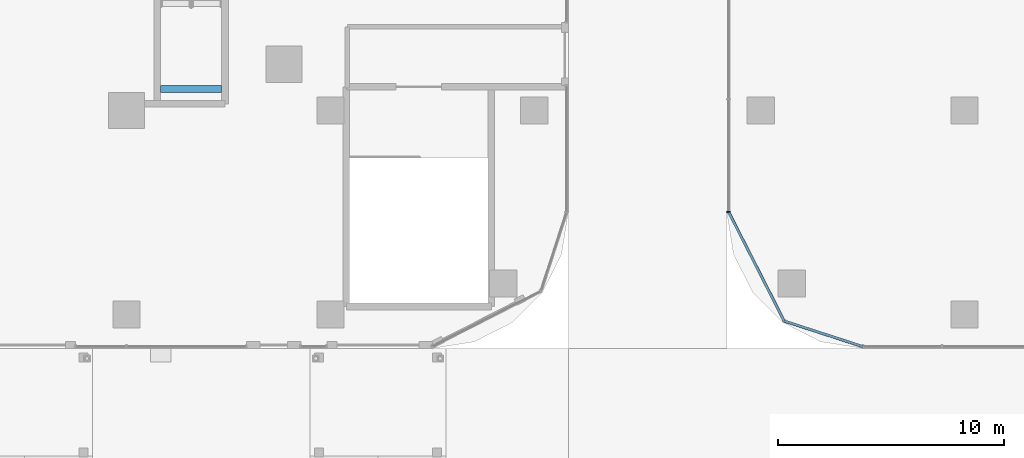
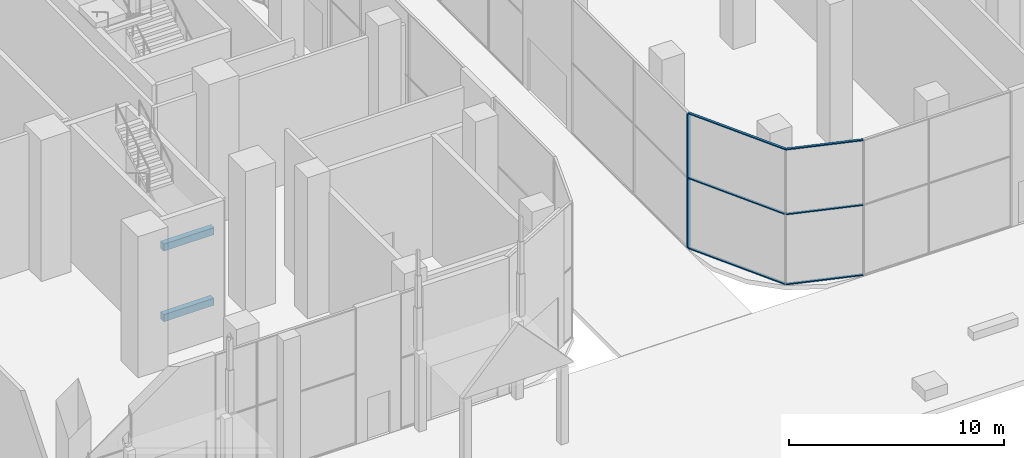
# One storey, part 10 of 54: 7 members, 2 beams, 2 elements without a shape of their own.
"""IFC4 building model written with IfcOpenShell, lengths in metres."""

from ifc_helpers import new_model, si_unit, direction, frame, origin, origin_2d, place, context, subcontext, project, spatial, rectangle, extrude, material, material_profile, profile_set, type_object, element, aggregate, save


model = new_model("IFC4")

# Units and contexts
model_context = context("Model", 3, precision=1e-05, world=origin(), true_north=direction((0.0, 1.0)))
body_context = subcontext(model_context, "Body", "Model", "MODEL_VIEW")
ifc_project = project(units=[si_unit("LENGTHUNIT", "METRE"), si_unit("AREAUNIT", "SQUARE_METRE"), si_unit("VOLUMEUNIT", "CUBIC_METRE"), si_unit("PLANEANGLEUNIT", "RADIAN"), si_unit("MASSUNIT", "GRAM", prefix="KILO")], contexts=[model_context])

# Site, building, storey
site_placement = place(None, origin())
site = spatial("IfcSite", under=ifc_project, at=site_placement, CompositionType="ELEMENT")
building_placement = place(site_placement, origin())
building = spatial("IfcBuilding", under=site, at=building_placement, Name="Ogive Portal Towers", CompositionType="ELEMENT")
storey_placement = place(building_placement, origin())
storey = spatial("IfcBuildingStorey", under=building, at=storey_placement, Name="L00", CompositionType="ELEMENT", Elevation=0.0)

# Beams
ifc_material_1 = material(Name="Concrete C40/50", Category="concrete")
ifc_material_profile_1 = material_profile(ifc_material_1, rectangle(XDim=0.300048828125, YDim=0.39990234375, at=origin_2d()), Name="RC 300x400")
ifc_profile_set_1 = profile_set([ifc_material_profile_1], Name="Concrete C40/50")
beam_type = type_object("IfcBeamType", Name="BEAM RC 300x400", PredefinedType="BEAM", material=ifc_profile_set_1)
for number, where, z_axis, x_axis, name in (
    (1, (87.0, 22.449951171875, 1.60009765625), (1.0, 0.0, 0.0), (0.0, 1.0, 0.0), "Landing beam L00"),
    (2, (87.0, 22.449951171875, 5.60009765625), (1.0, 0.0, 0.0), (0.0, 1.0, 0.0), "Landing beam L00"),
):
    element("IfcBeam", number, at=place(storey_placement, frame(where, z_axis=z_axis, x_axis=x_axis)), inside=storey, type_object=beam_type, Name=name, PredefinedType="BEAM", context=body_context, shape_type="SweptSolid", body=[
        extrude(rectangle(XDim=0.300048828125, YDim=0.39990234375, at=origin_2d()), origin(), (0.0, 0.0, 1.0), 2.699951171875),
    ])

# Curtain wall, member
ifc_material_2 = material(Name="Glass, clear low-iron insulated glazing", Category="glass")
curtain_wall_type = type_object("IfcCurtainWallType", Name="CW PODIUM SHOPFRONT", PredefinedType="NOTDEFINED", material=ifc_material_2)
curtain_wall_1_placement = place(storey_placement, origin())
curtain_wall_1 = element("IfcCurtainWall", 3, at=curtain_wall_1_placement, inside=storey, type_object=curtain_wall_type, Name="B:L00:f11:cw1", PredefinedType="NOTDEFINED")
ifc_material_3 = material(Name="Aluminium 6063 anodised", Category="aluminium")
ifc_material_profile_2 = material_profile(ifc_material_3, rectangle(XDim=0.159912109375, YDim=0.06005859375, at=origin_2d()), Name="AL 60x160")
ifc_profile_set_2 = profile_set([ifc_material_profile_2], Name="Aluminium 6063 anodised")
member_type_1 = type_object("IfcMemberType", Name="CW MULLION 60x160", PredefinedType="MULLION", material=ifc_profile_set_2)
member_1_placement = place(storey_placement, frame((112.080078125, 17.019287109375, 0.06005859375), z_axis=(0.0, 0.0, 1.0), x_axis=(1.0, 0.0, 0.0)))
member_1 = element("IfcMember", 4, at=member_1_placement, type_object=member_type_1, Name="mullion", PredefinedType="MULLION", context=body_context, shape_type="SweptSolid", body=[
    extrude(rectangle(XDim=0.159912109375, YDim=0.06005859375, at=origin_2d()), origin(), (0.0, 0.0, 1.0), 7.579833984375),
])
aggregate(curtain_wall_1, [member_1])

# Curtain wall, members
curtain_wall_2_placement = place(storey_placement, origin())
curtain_wall_2 = element("IfcCurtainWall", 5, at=curtain_wall_2_placement, inside=storey, type_object=curtain_wall_type, Name="B:L00:f00:cwa", PredefinedType="NOTDEFINED")
ifc_material_profile_3 = material_profile(ifc_material_3, rectangle(XDim=0.1201171875, YDim=0.06005859375, at=origin_2d()), Name="AL 120x60")
ifc_profile_set_3 = profile_set([ifc_material_profile_3], Name="Aluminium 6063 anodised")
member_type_2 = type_object("IfcMemberType", Name="CW TRANSOM 60x120", PredefinedType="USERDEFINED", material=ifc_profile_set_3)
member_2_placement = place(storey_placement, frame((112.080078125, 17.019287109375, 0.030029296875), z_axis=(0.453969839149, -0.891017050983, 0.0), x_axis=(0.891017050983, 0.453969839149, 0.0)))
member_2 = element("IfcMember", 6, at=member_2_placement, type_object=member_type_2, Name="transom", ObjectType="TRANSOM", PredefinedType="USERDEFINED", context=body_context, shape_type="SweptSolid", body=[
    extrude(rectangle(XDim=0.1201171875, YDim=0.06005859375, at=origin_2d()), origin(), (0.0, 0.0, 1.0), 5.395751953125),
])
member_3_placement = place(storey_placement, frame((112.080078125, 17.019287109375, 4.0), z_axis=(0.453969839149, -0.891017050983, 0.0), x_axis=(0.891017050983, 0.453969839149, 0.0)))
member_3 = element("IfcMember", 7, at=member_3_placement, type_object=member_type_2, Name="transom", ObjectType="TRANSOM", PredefinedType="USERDEFINED", context=body_context, shape_type="SweptSolid", body=[
    extrude(rectangle(XDim=0.1201171875, YDim=0.06005859375, at=origin_2d()), origin(), (0.0, 0.0, 1.0), 5.395751953125),
])
member_4_placement = place(storey_placement, frame((112.080078125, 17.019287109375, 7.669921875), z_axis=(0.453969839149, -0.891017050983, 0.0), x_axis=(0.891017050983, 0.453969839149, 0.0)))
member_4 = element("IfcMember", 8, at=member_4_placement, type_object=member_type_2, Name="transom", ObjectType="TRANSOM", PredefinedType="USERDEFINED", context=body_context, shape_type="SweptSolid", body=[
    extrude(rectangle(XDim=0.1201171875, YDim=0.06005859375, at=origin_2d()), origin(), (0.0, 0.0, 1.0), 5.395751953125),
])
member_5_placement = place(storey_placement, frame((114.529541015625, 12.211669921875, 0.030029296875), z_axis=(0.951068844598, -0.308979049184, 0.0), x_axis=(0.308979049184, 0.951068844598, 0.0)))
member_5 = element("IfcMember", 9, at=member_5_placement, type_object=member_type_2, Name="transom", ObjectType="TRANSOM", PredefinedType="USERDEFINED", context=body_context, shape_type="SweptSolid", body=[
    extrude(rectangle(XDim=0.1201171875, YDim=0.06005859375, at=origin_2d()), origin(), (0.0, 0.0, 1.0), 3.662353515625),
])
member_6_placement = place(storey_placement, frame((114.529541015625, 12.211669921875, 4.0), z_axis=(0.951068844598, -0.308979049184, 0.0), x_axis=(0.308979049184, 0.951068844598, 0.0)))
member_6 = element("IfcMember", 10, at=member_6_placement, type_object=member_type_2, Name="transom", ObjectType="TRANSOM", PredefinedType="USERDEFINED", context=body_context, shape_type="SweptSolid", body=[
    extrude(rectangle(XDim=0.1201171875, YDim=0.06005859375, at=origin_2d()), origin(), (0.0, 0.0, 1.0), 3.662353515625),
])
member_7_placement = place(storey_placement, frame((114.529541015625, 12.211669921875, 7.669921875), z_axis=(0.951068844598, -0.308979049184, 0.0), x_axis=(0.308979049184, 0.951068844598, 0.0)))
member_7 = element("IfcMember", 11, at=member_7_placement, type_object=member_type_2, Name="transom", ObjectType="TRANSOM", PredefinedType="USERDEFINED", context=body_context, shape_type="SweptSolid", body=[
    extrude(rectangle(XDim=0.1201171875, YDim=0.06005859375, at=origin_2d()), origin(), (0.0, 0.0, 1.0), 3.662353515625),
])
aggregate(curtain_wall_2, [member_2, member_3, member_4, member_5, member_6, member_7])

save(model, "model.ifc")
